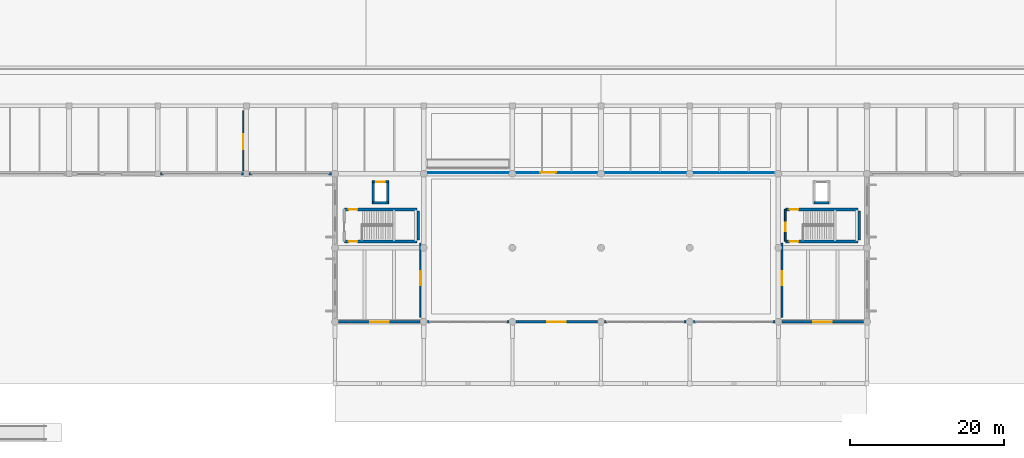
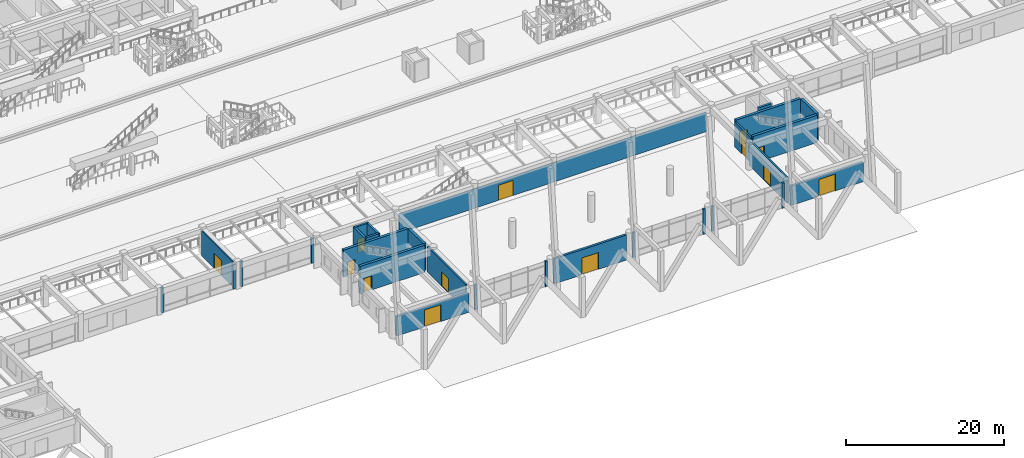
# One storey, part 78 of 109: 29 walls, 13 doors, 13 openings.
"""IFC4 building model written with IfcOpenShell, lengths in metres."""

from ifc_helpers import new_model, si_unit, direction, frame, frame_2d, origin, place, context, subcontext, project, spatial, rectangle, extrude, material, layer, layer_set, type_object, element, fill, save


model = new_model("IFC4")

# Units and contexts
model_context = context("Model", 3, precision=1e-05, world=origin(), true_north=direction((0.0, 1.0)))
body_context = subcontext(model_context, "Body", "Model", "MODEL_VIEW")
ifc_project = project(units=[si_unit("LENGTHUNIT", "METRE"), si_unit("AREAUNIT", "SQUARE_METRE"), si_unit("VOLUMEUNIT", "CUBIC_METRE"), si_unit("PLANEANGLEUNIT", "RADIAN"), si_unit("MASSUNIT", "GRAM", prefix="KILO")], contexts=[model_context])

# Site, building, storey
site_placement = place(None, origin())
site = spatial("IfcSite", under=ifc_project, at=site_placement, CompositionType="ELEMENT")
building_placement = place(site_placement, origin())
building = spatial("IfcBuilding", under=site, at=building_placement, Name="Ologun Quay Terminus", CompositionType="ELEMENT")
storey_placement = place(building_placement, origin())
storey = spatial("IfcBuildingStorey", under=building, at=storey_placement, Name="L00", CompositionType="ELEMENT", Elevation=0.0)

# Wall, opening, door
ifc_material_1 = material(Name="Glass", Category="glass")
ifc_layer_1 = layer(ifc_material_1, 0.1201171875)
ifc_layer_set_1 = layer_set([ifc_layer_1], Name="Glass")
wall_type_1 = type_object("IfcWallType", Name="Acoustic Glazed Concourse Screen Wall 120", PredefinedType="MOVABLE", material=ifc_layer_set_1)
wall_1_placement = place(storey_placement, frame((69.60009765625, 27.35009765625, 0.0), z_axis=(0.0, 0.0, 1.0), x_axis=(1.0, 0.0, 0.0)))
wall_1 = element("IfcWall", 1, at=wall_1_placement, inside=storey, type_object=wall_type_1, Name="PW-10 Partition L00-Screening-Screen", PredefinedType="MOVABLE", context=body_context, shape_type="SweptSolid", body=[
    extrude(rectangle(XDim=44.7998046875, YDim=0.1201171875, at=frame_2d((22.39990234375, 0.0))), origin(), (0.0, 0.0, 1.0), 3.0),
])
opening_1_placement = place(wall_1_placement, frame((14.5, 0.0, 0.0)))
opening_1 = element("IfcOpeningElement", 2, at=opening_1_placement, cuts=wall_1, Name="Opening ID-294", PredefinedType="OPENING", context=body_context, shape_type="SweptSolid", body=[
    extrude(rectangle(XDim=2.10009765625, YDim=2.35009765625, at=frame_2d((1.050048828125, 1.175048828125))), frame((0.0, 0.070068359375, 0.0), z_axis=(0.0, -1.0, 0.0), x_axis=(1.0, 0.0, 0.0)), (0.0, 0.0, 1.0), 0.14013671875),
])
ifc_material_2 = material(Name="Glass", Category="glass")
door_type_1 = type_object("IfcDoorType", Name="Waiting Lounge Glazed Pair 2100x2350", OperationType="DOUBLE_DOOR_SINGLE_SWING", PredefinedType="DOOR", material=ifc_material_2)
door_1_placement = place(opening_1_placement, origin())
door_1 = element("IfcDoor", 3, at=door_1_placement, inside=storey, type_object=door_type_1, Name="ID-07 Door ID-294", OperationType="DOUBLE_DOOR_SINGLE_SWING", OverallHeight=2.35009765625, OverallWidth=2.10009765625, PredefinedType="DOOR", context=body_context, shape_type="SweptSolid", body=[
    extrude(rectangle(XDim=2.10009765625, YDim=2.35009765625, at=frame_2d((1.050048828125, 1.175048828125))), frame((0.0, 0.02490234375, 0.0), z_axis=(0.0, -1.0, 0.0), x_axis=(1.0, 0.0, 0.0)), (0.0, 0.0, 1.0), 0.050048828125),
])
fill(opening_1, door_1)

# Walls
ifc_material_3 = material(Name="Concrete C40/50", Category="concrete")
ifc_layer_2 = layer(ifc_material_3, 0.280029296875)
ifc_layer_set_2 = layer_set([ifc_layer_2], Name="Concrete C40/50")
wall_type_2 = type_object("IfcWallType", Name="Courtyard Wing Spandrel Concrete Wall 280", PredefinedType="SOLIDWALL", material=ifc_layer_set_2)
for number, where, z_axis, x_axis, name in (
    (4, (34.8701171875, 27.199951171875, 0.0), (0.0, 0.0, 1.0), (1.0, 0.0, 0.0), "Curtain Wall Jamb Pier CW-L00-002-J1"),
    (5, (45.280029296875, 27.199951171875, 0.0), (0.0, 0.0, 1.0), (1.0, 0.0, 0.0), "Curtain Wall Jamb Pier CW-L00-002-J2"),
    (6, (46.3701171875, 27.199951171875, 0.0), (0.0, 0.0, 1.0), (1.0, 0.0, 0.0), "Curtain Wall Jamb Pier CW-L00-003-J1"),
):
    element("IfcWall", number, at=place(storey_placement, frame(where, z_axis=z_axis, x_axis=x_axis)), inside=storey, type_object=wall_type_2, Name=name, PredefinedType="SOLIDWALL", context=body_context, shape_type="SweptSolid", body=[
        extrude(rectangle(XDim=0.349853515625, YDim=0.280029296875, at=frame_2d((0.1748046875, 0.0))), origin(), (0.0, 0.0, 1.0), 3.8798828125),
    ])
for number, where, z_axis, x_axis, name in (
    (7, (56.679931640625, 27.199951171875, 0.0), (0.0, 0.0, 1.0), (1.0, 0.0, 0.0), "Curtain Wall Jamb Pier CW-L00-003-J2"),
    (8, (69.469970703125, 8.0, 0.0), (0.0, 0.0, 1.0), (1.0, 0.0, 0.0), "Curtain Wall Jamb Pier CW-L00-004-J1"),
    (9, (79.679931640625, 8.0, 0.0), (0.0, 0.0, 1.0), (1.0, 0.0, 0.0), "Curtain Wall Jamb Pier CW-L00-004-J2"),
    (10, (92.469970703125, 8.0, 0.0), (0.0, 0.0, 1.0), (1.0, 0.0, 0.0), "Curtain Wall Jamb Pier CW-L00-005-J1"),
    (11, (102.679931640625, 8.0, 0.0), (0.0, 0.0, 1.0), (1.0, 0.0, 0.0), "Curtain Wall Jamb Pier CW-L00-005-J2"),
    (12, (103.969970703125, 8.0, 0.0), (0.0, 0.0, 1.0), (1.0, 0.0, 0.0), "Curtain Wall Jamb Pier CW-L00-006-J1"),
    (13, (114.179931640625, 8.0, 0.0), (0.0, 0.0, 1.0), (1.0, 0.0, 0.0), "Curtain Wall Jamb Pier CW-L00-006-J2"),
):
    element("IfcWall", number, at=place(storey_placement, frame(where, z_axis=z_axis, x_axis=x_axis)), inside=storey, type_object=wall_type_2, Name=name, PredefinedType="SOLIDWALL", context=body_context, shape_type="SweptSolid", body=[
        extrude(rectangle(XDim=0.35009765625, YDim=0.280029296875, at=frame_2d((0.175048828125, 0.0))), origin(), (0.0, 0.0, 1.0), 3.8798828125),
    ])

# Wall, opening, door
ifc_material_4 = material(Name="Concrete C40/50", Category="concrete")
ifc_layer_3 = layer(ifc_material_4, 0.239990234375)
ifc_layer_set_3 = layer_set([ifc_layer_3], Name="Concrete C40/50")
wall_type_3 = type_object("IfcWallType", Name="Fire Compartment Blockwork Wall 240", PredefinedType="SOLIDWALL", material=ifc_layer_set_3)
wall_2_placement = place(storey_placement, frame((115.89990234375, 18.419921875, 0.0), z_axis=(0.0, 0.0, 1.0), x_axis=(0.0, 1.0, 0.0)))
wall_2 = element("IfcWall", 14, at=wall_2_placement, inside=storey, type_object=wall_type_3, Name="PW-01 Partition ST-S4-W", PredefinedType="SOLIDWALL", context=body_context, shape_type="SweptSolid", body=[
    extrude(rectangle(XDim=4.16015625, YDim=0.239990234375, at=frame_2d((2.080078125, 0.0))), origin(), (0.0, 0.0, 1.0), 3.8798828125),
])
opening_2_placement = place(wall_2_placement, frame((1.300048828125, 0.0, 0.0)))
opening_2 = element("IfcOpeningElement", 15, at=opening_2_placement, cuts=wall_2, Name="Opening ID-265", PredefinedType="OPENING", context=body_context, shape_type="SweptSolid", body=[
    extrude(rectangle(XDim=1.1298828125, YDim=2.14990234375, at=frame_2d((0.56494140625, 1.074951171875))), frame((0.0, 0.1298828125, 0.0), z_axis=(0.0, -1.0, 0.0), x_axis=(1.0, 0.0, 0.0)), (0.0, 0.0, 1.0), 0.260009765625),
])
ifc_material_5 = material(Name="Steel S355", Category="steel")
door_type_2 = type_object("IfcDoorType", Name="Stairwell Fire Escape Door 1130x2150", OperationType="SINGLE_SWING_LEFT", PredefinedType="DOOR", material=ifc_material_5)
door_2_placement = place(opening_2_placement, origin())
door_2 = element("IfcDoor", 16, at=door_2_placement, inside=storey, type_object=door_type_2, Name="FD-01 Door ID-265", OperationType="SINGLE_SWING_LEFT", OverallHeight=2.14990234375, OverallWidth=1.1298828125, PredefinedType="DOOR", context=body_context, shape_type="SweptSolid", body=[
    extrude(rectangle(XDim=1.1298828125, YDim=2.14990234375, at=frame_2d((0.56494140625, 1.074951171875))), frame((0.0, 0.02490234375, 0.0), z_axis=(0.0, -1.0, 0.0), x_axis=(1.0, 0.0, 0.0)), (0.0, 0.0, 1.0), 0.050048828125),
])
fill(opening_2, door_2)

wall_3_placement = place(storey_placement, frame((68.550048828125, 8.550048828125, 0.0), z_axis=(0.0, 0.0, 1.0), x_axis=(0.0, 1.0, 0.0)))
wall_3 = element("IfcWall", 17, at=wall_3_placement, inside=storey, type_object=wall_type_3, Name="PW-01 Partition L00-EXPS3-E", PredefinedType="SOLIDWALL", context=body_context, shape_type="SweptSolid", body=[
    extrude(rectangle(XDim=9.699951171875, YDim=0.239990234375, at=frame_2d((4.85009765625, 0.0))), origin(), (0.0, 0.0, 1.0), 3.8798828125),
])
opening_3_placement = place(wall_3_placement, frame((4.199951171875, 0.0, 0.0)))
opening_3 = element("IfcOpeningElement", 18, at=opening_3_placement, cuts=wall_3, Name="Opening ID-303", PredefinedType="OPENING", context=body_context, shape_type="SweptSolid", body=[
    extrude(rectangle(XDim=1.800048828125, YDim=2.199951171875, at=frame_2d((0.89990234375, 1.10009765625))), frame((0.0, 0.1298828125, 0.0), z_axis=(0.0, -1.0, 0.0), x_axis=(1.0, 0.0, 0.0)), (0.0, 0.0, 1.0), 0.260009765625),
])
ifc_material_6 = material(Name="Steel S355", Category="steel")
door_type_3 = type_object("IfcDoorType", Name="Corridor Compartment Pair 1800x2200", OperationType="DOUBLE_DOOR_SINGLE_SWING", PredefinedType="DOOR", material=ifc_material_6)
door_3_placement = place(opening_3_placement, origin())
door_3 = element("IfcDoor", 19, at=door_3_placement, inside=storey, type_object=door_type_3, Name="FD-03 Door ID-303", OperationType="DOUBLE_DOOR_SINGLE_SWING", OverallHeight=2.199951171875, OverallWidth=1.800048828125, PredefinedType="DOOR", context=body_context, shape_type="SweptSolid", body=[
    extrude(rectangle(XDim=1.800048828125, YDim=2.199951171875, at=frame_2d((0.89990234375, 1.10009765625))), frame((0.0, 0.02490234375, 0.0), z_axis=(0.0, -1.0, 0.0), x_axis=(1.0, 0.0, 0.0)), (0.0, 0.0, 1.0), 0.050048828125),
])
fill(opening_3, door_3)

wall_4_placement = place(storey_placement, frame((115.449951171875, 8.550048828125, 0.0), z_axis=(0.0, 0.0, 1.0), x_axis=(0.0, 1.0, 0.0)))
wall_4 = element("IfcWall", 20, at=wall_4_placement, inside=storey, type_object=wall_type_3, Name="PW-01 Partition L00-EXPS4-W", PredefinedType="SOLIDWALL", context=body_context, shape_type="SweptSolid", body=[
    extrude(rectangle(XDim=9.699951171875, YDim=0.239990234375, at=frame_2d((4.85009765625, 0.0))), origin(), (0.0, 0.0, 1.0), 3.8798828125),
])
opening_4_placement = place(wall_4_placement, frame((4.199951171875, 0.0, 0.0)))
opening_4 = element("IfcOpeningElement", 21, at=opening_4_placement, cuts=wall_4, Name="Opening ID-304", PredefinedType="OPENING", context=body_context, shape_type="SweptSolid", body=[
    extrude(rectangle(XDim=1.800048828125, YDim=2.199951171875, at=frame_2d((0.89990234375, 1.10009765625))), frame((0.0, 0.1298828125, 0.0), z_axis=(0.0, -1.0, 0.0), x_axis=(1.0, 0.0, 0.0)), (0.0, 0.0, 1.0), 0.260009765625),
])
door_4_placement = place(opening_4_placement, origin())
door_4 = element("IfcDoor", 22, at=door_4_placement, inside=storey, type_object=door_type_3, Name="FD-03 Door ID-304", OperationType="DOUBLE_DOOR_SINGLE_SWING", OverallHeight=2.199951171875, OverallWidth=1.800048828125, PredefinedType="DOOR", context=body_context, shape_type="SweptSolid", body=[
    extrude(rectangle(XDim=1.800048828125, YDim=2.199951171875, at=frame_2d((0.89990234375, 1.10009765625))), frame((0.0, 0.02490234375, 0.0), z_axis=(0.0, -1.0, 0.0), x_axis=(1.0, 0.0, 0.0)), (0.0, 0.0, 1.0), 0.050048828125),
])
fill(opening_4, door_4)

# Wall
ifc_material_7 = material(Name="Concrete C40/50", Category="concrete")
ifc_layer_4 = layer(ifc_material_7, 0.300048828125)
ifc_layer_set_4 = layer_set([ifc_layer_4], Name="Concrete C40/50")
wall_type_4 = type_object("IfcWallType", Name="Lift Shaft Structural Shear Wall 300", PredefinedType="SHEAR", material=ifc_layer_set_4)
wall_5_placement = place(storey_placement, frame((62.449951171875, 23.449951171875, 0.0), z_axis=(0.0, 0.0, 1.0), x_axis=(1.0, 0.0, 0.0)))
element("IfcWall", 23, at=wall_5_placement, inside=storey, type_object=wall_type_4, Name="Lift PL-S1 Shaft Wall S L00", PredefinedType="SHEAR", context=body_context, shape_type="SweptSolid", body=[
    extrude(rectangle(XDim=1.900146484375, YDim=0.300048828125, at=frame_2d((0.9501953125, 0.0))), origin(), (0.0, 0.0, 1.0), 4.199951171875),
])

# Wall, opening, door
wall_6_placement = place(storey_placement, frame((62.449951171875, 26.14990234375, 0.0), z_axis=(0.0, 0.0, 1.0), x_axis=(1.0, 0.0, 0.0)))
wall_6 = element("IfcWall", 24, at=wall_6_placement, inside=storey, type_object=wall_type_4, Name="Lift PL-S1 Shaft Wall N L00", PredefinedType="SHEAR", context=body_context, shape_type="SweptSolid", body=[
    extrude(rectangle(XDim=1.900146484375, YDim=0.300048828125, at=frame_2d((0.9501953125, 0.0))), origin(), (0.0, 0.0, 1.0), 4.199951171875),
])
opening_5_placement = place(wall_6_placement, frame((0.39990234375, 0.0, 0.0)))
opening_5 = element("IfcOpeningElement", 25, at=opening_5_placement, cuts=wall_6, Name="Opening ID-048", PredefinedType="OPENING", context=body_context, shape_type="SweptSolid", body=[
    extrude(rectangle(XDim=1.10009765625, YDim=2.14990234375, at=frame_2d((0.550048828125, 1.074951171875))), frame((0.0, 0.16015625, 0.0), z_axis=(0.0, -1.0, 0.0), x_axis=(1.0, 0.0, 0.0)), (0.0, 0.0, 1.0), 0.320068359375),
])
ifc_material_8 = material(Name="Steel S355", Category="steel")
door_type_4 = type_object("IfcDoorType", Name="Lift Landing Sliding Door 1100x2150", OperationType="SLIDING_TO_LEFT", PredefinedType="DOOR", material=ifc_material_8)
door_5_placement = place(opening_5_placement, origin())
door_5 = element("IfcDoor", 26, at=door_5_placement, inside=storey, type_object=door_type_4, Name="LD-01 Door ID-048", OperationType="SLIDING_TO_LEFT", OverallHeight=2.14990234375, OverallWidth=1.10009765625, PredefinedType="DOOR", context=body_context, shape_type="SweptSolid", body=[
    extrude(rectangle(XDim=1.10009765625, YDim=2.14990234375, at=frame_2d((0.550048828125, 1.074951171875))), frame((0.0, 0.02490234375, 0.0), z_axis=(0.0, -1.0, 0.0), x_axis=(1.0, 0.0, 0.0)), (0.0, 0.0, 1.0), 0.050048828125),
])
fill(opening_5, door_5)

# Walls
for number, where, z_axis, x_axis, name in (
    (27, (62.449951171875, 23.300048828125, 0.0), (0.0, 0.0, 1.0), (0.0, 1.0, 0.0), "Lift PL-S1 Shaft Wall W L00"),
    (28, (64.35009765625, 23.300048828125, 0.0), (0.0, 0.0, 1.0), (0.0, 1.0, 0.0), "Lift PL-S1 Shaft Wall E L00"),
):
    element("IfcWall", number, at=place(storey_placement, frame(where, z_axis=z_axis, x_axis=x_axis)), inside=storey, type_object=wall_type_4, Name=name, PredefinedType="SHEAR", context=body_context, shape_type="SweptSolid", body=[
        extrude(rectangle(XDim=3.0, YDim=0.300048828125, at=frame_2d((1.5, 0.0))), origin(), (0.0, 0.0, 1.0), 4.199951171875),
    ])
wall_7_placement = place(storey_placement, frame((119.64990234375, 23.449951171875, 0.0), z_axis=(0.0, 0.0, 1.0), x_axis=(1.0, 0.0, 0.0)))
element("IfcWall", 29, at=wall_7_placement, inside=storey, type_object=wall_type_4, Name="Lift PL-S2 Shaft Wall S L00", PredefinedType="SHEAR", context=body_context, shape_type="SweptSolid", body=[
    extrude(rectangle(XDim=1.900146484375, YDim=0.300048828125, at=frame_2d((0.9501953125, 0.0))), origin(), (0.0, 0.0, 1.0), 4.199951171875),
])

# Wall, opening, door
ifc_material_9 = material(Name="Concrete C40/50", Category="concrete")
ifc_layer_5 = layer(ifc_material_9, 0.3798828125)
ifc_layer_set_5 = layer_set([ifc_layer_5], Name="Concrete C40/50")
wall_type_5 = type_object("IfcWallType", Name="Platform Spine Shear Wall 380", PredefinedType="SHEAR", material=ifc_layer_set_5)
wall_8_placement = place(storey_placement, frame((58.699951171875, 18.409912109375, 0.0), z_axis=(0.0, 0.0, 1.0), x_axis=(1.0, 0.0, 0.0)))
wall_8 = element("IfcWall", 30, at=wall_8_placement, inside=storey, type_object=wall_type_5, Name="Station Core 3 S Shear Wall L00", PredefinedType="SHEAR", context=body_context, shape_type="SweptSolid", body=[
    extrude(rectangle(XDim=9.400146484375, YDim=0.3798828125, at=frame_2d((4.7001953125, 0.0))), origin(), (0.0, 0.0, 1.0), 4.199951171875),
])
opening_6_placement = place(wall_8_placement, frame((0.550048828125, 0.0, 0.0)))
opening_6 = element("IfcOpeningElement", 31, at=opening_6_placement, cuts=wall_8, Name="Opening ID-254", PredefinedType="OPENING", context=body_context, shape_type="SweptSolid", body=[
    extrude(rectangle(XDim=1.1298828125, YDim=2.14990234375, at=frame_2d((0.56494140625, 1.074951171875))), frame((0.0, 0.199951171875, 0.0), z_axis=(0.0, -1.0, 0.0), x_axis=(1.0, 0.0, 0.0)), (0.0, 0.0, 1.0), 0.39990234375),
])
door_6_placement = place(opening_6_placement, frame((0.56494140625, 0.0, 0.0), z_axis=(0.0, 0.0, 1.0), x_axis=(-1.0, 0.0, 0.0)))
door_6 = element("IfcDoor", 32, at=door_6_placement, inside=storey, type_object=door_type_2, Name="FD-01 Door ID-254", OperationType="SINGLE_SWING_LEFT", OverallHeight=2.14990234375, OverallWidth=1.1298828125, PredefinedType="DOOR", context=body_context, shape_type="SweptSolid", body=[
    extrude(rectangle(XDim=1.1298828125, YDim=2.14990234375, at=frame_2d((0.0, 1.074951171875))), frame((0.0, 0.02490234375, 0.0), z_axis=(0.0, -1.0, 0.0), x_axis=(1.0, 0.0, 0.0)), (0.0, 0.0, 1.0), 0.050048828125),
])
fill(opening_6, door_6)

wall_9_placement = place(storey_placement, frame((58.699951171875, 22.590087890625, 0.0), z_axis=(0.0, 0.0, 1.0), x_axis=(1.0, 0.0, 0.0)))
wall_9 = element("IfcWall", 33, at=wall_9_placement, inside=storey, type_object=wall_type_5, Name="Station Core 3 N Shear Wall L00", PredefinedType="SHEAR", context=body_context, shape_type="SweptSolid", body=[
    extrude(rectangle(XDim=9.400146484375, YDim=0.3798828125, at=frame_2d((4.7001953125, 0.0))), origin(), (0.0, 0.0, 1.0), 4.199951171875),
])
opening_7_placement = place(wall_9_placement, frame((0.550048828125, 0.0, 0.0)))
opening_7 = element("IfcOpeningElement", 34, at=opening_7_placement, cuts=wall_9, Name="Opening ID-253", PredefinedType="OPENING", context=body_context, shape_type="SweptSolid", body=[
    extrude(rectangle(XDim=1.1298828125, YDim=2.14990234375, at=frame_2d((0.56494140625, 1.074951171875))), frame((0.0, 0.199951171875, 0.0), z_axis=(0.0, -1.0, 0.0), x_axis=(1.0, 0.0, 0.0)), (0.0, 0.0, 1.0), 0.39990234375),
])
door_7_placement = place(opening_7_placement, origin())
door_7 = element("IfcDoor", 35, at=door_7_placement, inside=storey, type_object=door_type_2, Name="FD-01 Door ID-253", OperationType="SINGLE_SWING_LEFT", OverallHeight=2.14990234375, OverallWidth=1.1298828125, PredefinedType="DOOR", context=body_context, shape_type="SweptSolid", body=[
    extrude(rectangle(XDim=1.1298828125, YDim=2.14990234375, at=frame_2d((0.56494140625, 1.074951171875))), frame((0.0, 0.02490234375, 0.0), z_axis=(0.0, -1.0, 0.0), x_axis=(1.0, 0.0, 0.0)), (0.0, 0.0, 1.0), 0.050048828125),
])
fill(opening_7, door_7)

# Wall
wall_10_placement = place(storey_placement, frame((68.2900390625, 18.60009765625, 0.0), z_axis=(0.0, 0.0, 1.0), x_axis=(0.0, 1.0, 0.0)))
element("IfcWall", 36, at=wall_10_placement, inside=storey, type_object=wall_type_5, Name="Station Core 3 E Shear Wall L00", PredefinedType="SHEAR", context=body_context, shape_type="SweptSolid", body=[
    extrude(rectangle(XDim=3.7998046875, YDim=0.3798828125, at=frame_2d((1.89990234375, 0.0))), origin(), (0.0, 0.0, 1.0), 4.199951171875),
])

# Wall, opening, door
wall_11_placement = place(storey_placement, frame((115.89990234375, 18.409912109375, 0.0), z_axis=(0.0, 0.0, 1.0), x_axis=(1.0, 0.0, 0.0)))
wall_11 = element("IfcWall", 37, at=wall_11_placement, inside=storey, type_object=wall_type_5, Name="Station Core 4 S Shear Wall L00", PredefinedType="SHEAR", context=body_context, shape_type="SweptSolid", body=[
    extrude(rectangle(XDim=9.400146484375, YDim=0.3798828125, at=frame_2d((4.7001953125, 0.0))), origin(), (0.0, 0.0, 1.0), 4.199951171875),
])
opening_8_placement = place(wall_11_placement, frame((0.550048828125, 0.0, 0.0)))
opening_8 = element("IfcOpeningElement", 38, at=opening_8_placement, cuts=wall_11, Name="Opening ID-267", PredefinedType="OPENING", context=body_context, shape_type="SweptSolid", body=[
    extrude(rectangle(XDim=1.1298828125, YDim=2.14990234375, at=frame_2d((0.56494140625, 1.074951171875))), frame((0.0, 0.199951171875, 0.0), z_axis=(0.0, -1.0, 0.0), x_axis=(1.0, 0.0, 0.0)), (0.0, 0.0, 1.0), 0.39990234375),
])
door_8_placement = place(opening_8_placement, frame((0.56494140625, 0.0, 0.0), z_axis=(0.0, 0.0, 1.0), x_axis=(-1.0, 0.0, 0.0)))
door_8 = element("IfcDoor", 39, at=door_8_placement, inside=storey, type_object=door_type_2, Name="FD-01 Door ID-267", OperationType="SINGLE_SWING_LEFT", OverallHeight=2.14990234375, OverallWidth=1.1298828125, PredefinedType="DOOR", context=body_context, shape_type="SweptSolid", body=[
    extrude(rectangle(XDim=1.1298828125, YDim=2.14990234375, at=frame_2d((0.0, 1.074951171875))), frame((0.0, 0.02490234375, 0.0), z_axis=(0.0, -1.0, 0.0), x_axis=(1.0, 0.0, 0.0)), (0.0, 0.0, 1.0), 0.050048828125),
])
fill(opening_8, door_8)

wall_12_placement = place(storey_placement, frame((115.89990234375, 22.590087890625, 0.0), z_axis=(0.0, 0.0, 1.0), x_axis=(1.0, 0.0, 0.0)))
wall_12 = element("IfcWall", 40, at=wall_12_placement, inside=storey, type_object=wall_type_5, Name="Station Core 4 N Shear Wall L00", PredefinedType="SHEAR", context=body_context, shape_type="SweptSolid", body=[
    extrude(rectangle(XDim=9.400146484375, YDim=0.3798828125, at=frame_2d((4.7001953125, 0.0))), origin(), (0.0, 0.0, 1.0), 4.199951171875),
])
opening_9_placement = place(wall_12_placement, frame((0.550048828125, 0.0, 0.0)))
opening_9 = element("IfcOpeningElement", 41, at=opening_9_placement, cuts=wall_12, Name="Opening ID-266", PredefinedType="OPENING", context=body_context, shape_type="SweptSolid", body=[
    extrude(rectangle(XDim=1.1298828125, YDim=2.14990234375, at=frame_2d((0.56494140625, 1.074951171875))), frame((0.0, 0.199951171875, 0.0), z_axis=(0.0, -1.0, 0.0), x_axis=(1.0, 0.0, 0.0)), (0.0, 0.0, 1.0), 0.39990234375),
])
door_9_placement = place(opening_9_placement, origin())
door_9 = element("IfcDoor", 42, at=door_9_placement, inside=storey, type_object=door_type_2, Name="FD-01 Door ID-266", OperationType="SINGLE_SWING_LEFT", OverallHeight=2.14990234375, OverallWidth=1.1298828125, PredefinedType="DOOR", context=body_context, shape_type="SweptSolid", body=[
    extrude(rectangle(XDim=1.1298828125, YDim=2.14990234375, at=frame_2d((0.56494140625, 1.074951171875))), frame((0.0, 0.02490234375, 0.0), z_axis=(0.0, -1.0, 0.0), x_axis=(1.0, 0.0, 0.0)), (0.0, 0.0, 1.0), 0.050048828125),
])
fill(opening_9, door_9)

# Wall
wall_13_placement = place(storey_placement, frame((125.489990234375, 18.60009765625, 0.0), z_axis=(0.0, 0.0, 1.0), x_axis=(0.0, 1.0, 0.0)))
element("IfcWall", 43, at=wall_13_placement, inside=storey, type_object=wall_type_5, Name="Station Core 4 E Shear Wall L00", PredefinedType="SHEAR", context=body_context, shape_type="SweptSolid", body=[
    extrude(rectangle(XDim=3.7998046875, YDim=0.3798828125, at=frame_2d((1.89990234375, 0.0))), origin(), (0.0, 0.0, 1.0), 4.199951171875),
])

# Wall, opening, door
ifc_material_10 = material(Name="Concrete C40/50", Category="concrete")
ifc_layer_6 = layer(ifc_material_10, 0.320068359375)
ifc_layer_set_6 = layer_set([ifc_layer_6], Name="Concrete C40/50")
wall_type_6 = type_object("IfcWallType", Name="Podium Sculpted Concrete Facade Wall 320", PredefinedType="SOLIDWALL", material=ifc_layer_set_6)
wall_14_placement = place(storey_placement, frame((57.969970703125, 8.0, 0.0), z_axis=(0.0, 0.0, 1.0), x_axis=(1.0, 0.0, 0.0)))
wall_14 = element("IfcWall", 44, at=wall_14_placement, inside=storey, type_object=wall_type_6, Name="EW-01 Facade Wall WEW-SPAV-L00-2-1", PredefinedType="SOLIDWALL", context=body_context, shape_type="SweptSolid", body=[
    extrude(rectangle(XDim=10.56005859375, YDim=0.320068359375, at=frame_2d((5.280029296875, 0.0))), origin(), (0.0, 0.0, 1.0), 3.0),
])
opening_10_placement = place(wall_14_placement, frame((4.080078125, 0.0, 0.0)))
opening_10 = element("IfcOpeningElement", 45, at=opening_10_placement, cuts=wall_14, Name="Opening ED-004", PredefinedType="OPENING", context=body_context, shape_type="SweptSolid", body=[
    extrude(rectangle(XDim=2.39990234375, YDim=2.60009765625, at=frame_2d((1.199951171875, 1.300048828125))), frame((0.0, 0.169921875, 0.0), z_axis=(0.0, -1.0, 0.0), x_axis=(1.0, 0.0, 0.0)), (0.0, 0.0, 1.0), 0.340087890625),
])
ifc_material_11 = material(Name="Glass", Category="glass")
door_type_5 = type_object("IfcDoorType", Name="Main Station Glazed Double Entrance 2400x2600", OperationType="DOUBLE_DOOR_SINGLE_SWING", PredefinedType="DOOR", material=ifc_material_11)
door_10_placement = place(opening_10_placement, frame((1.199951171875, 0.0, 0.0), z_axis=(0.0, 0.0, 1.0), x_axis=(-1.0, 0.0, 0.0)))
door_10 = element("IfcDoor", 46, at=door_10_placement, inside=storey, type_object=door_type_5, Name="D-01 Exterior Door ED-004", OperationType="DOUBLE_DOOR_SINGLE_SWING", OverallHeight=2.60009765625, OverallWidth=2.39990234375, PredefinedType="DOOR", context=body_context, shape_type="SweptSolid", body=[
    extrude(rectangle(XDim=2.39990234375, YDim=2.60009765625, at=frame_2d((0.0, 1.300048828125))), frame((0.0, 0.02490234375, 0.0), z_axis=(0.0, -1.0, 0.0), x_axis=(1.0, 0.0, 0.0)), (0.0, 0.0, 1.0), 0.050048828125),
])
fill(opening_10, door_10)

wall_15_placement = place(storey_placement, frame((80.969970703125, 8.0, 0.0), z_axis=(0.0, 0.0, 1.0), x_axis=(1.0, 0.0, 0.0)))
wall_15 = element("IfcWall", 47, at=wall_15_placement, inside=storey, type_object=wall_type_6, Name="EW-01 Facade Wall WEW-SPAV-L00-2-3", PredefinedType="SOLIDWALL", context=body_context, shape_type="SweptSolid", body=[
    extrude(rectangle(XDim=10.56005859375, YDim=0.320068359375, at=frame_2d((5.280029296875, 0.0))), origin(), (0.0, 0.0, 1.0), 3.8798828125),
])
opening_11_placement = place(wall_15_placement, frame((4.080078125, 0.0, 0.0)))
opening_11 = element("IfcOpeningElement", 48, at=opening_11_placement, cuts=wall_15, Name="Opening ED-005", PredefinedType="OPENING", context=body_context, shape_type="SweptSolid", body=[
    extrude(rectangle(XDim=2.39990234375, YDim=2.60009765625, at=frame_2d((1.199951171875, 1.300048828125))), frame((0.0, 0.169921875, 0.0), z_axis=(0.0, -1.0, 0.0), x_axis=(1.0, 0.0, 0.0)), (0.0, 0.0, 1.0), 0.340087890625),
])
door_11_placement = place(opening_11_placement, frame((1.199951171875, 0.0, 0.0), z_axis=(0.0, 0.0, 1.0), x_axis=(-1.0, 0.0, 0.0)))
door_11 = element("IfcDoor", 49, at=door_11_placement, inside=storey, type_object=door_type_5, Name="D-01 Exterior Door ED-005", OperationType="DOUBLE_DOOR_SINGLE_SWING", OverallHeight=2.60009765625, OverallWidth=2.39990234375, PredefinedType="DOOR", context=body_context, shape_type="SweptSolid", body=[
    extrude(rectangle(XDim=2.39990234375, YDim=2.60009765625, at=frame_2d((0.0, 1.300048828125))), frame((0.0, 0.02490234375, 0.0), z_axis=(0.0, -1.0, 0.0), x_axis=(1.0, 0.0, 0.0)), (0.0, 0.0, 1.0), 0.050048828125),
])
fill(opening_11, door_11)

wall_16_placement = place(storey_placement, frame((115.469970703125, 8.0, 0.0), z_axis=(0.0, 0.0, 1.0), x_axis=(1.0, 0.0, 0.0)))
wall_16 = element("IfcWall", 50, at=wall_16_placement, inside=storey, type_object=wall_type_6, Name="EW-01 Facade Wall WEW-SPAV-L00-2-6", PredefinedType="SOLIDWALL", context=body_context, shape_type="SweptSolid", body=[
    extrude(rectangle(XDim=10.56005859375, YDim=0.320068359375, at=frame_2d((5.280029296875, 0.0))), origin(), (0.0, 0.0, 1.0), 3.0),
])
opening_12_placement = place(wall_16_placement, frame((4.080078125, 0.0, 0.0)))
opening_12 = element("IfcOpeningElement", 51, at=opening_12_placement, cuts=wall_16, Name="Opening ED-006", PredefinedType="OPENING", context=body_context, shape_type="SweptSolid", body=[
    extrude(rectangle(XDim=2.39990234375, YDim=2.60009765625, at=frame_2d((1.199951171875, 1.300048828125))), frame((0.0, 0.169921875, 0.0), z_axis=(0.0, -1.0, 0.0), x_axis=(1.0, 0.0, 0.0)), (0.0, 0.0, 1.0), 0.340087890625),
])
door_12_placement = place(opening_12_placement, frame((1.199951171875, 0.0, 0.0), z_axis=(0.0, 0.0, 1.0), x_axis=(-1.0, 0.0, 0.0)))
door_12 = element("IfcDoor", 52, at=door_12_placement, inside=storey, type_object=door_type_5, Name="D-01 Exterior Door ED-006", OperationType="DOUBLE_DOOR_SINGLE_SWING", OverallHeight=2.60009765625, OverallWidth=2.39990234375, PredefinedType="DOOR", context=body_context, shape_type="SweptSolid", body=[
    extrude(rectangle(XDim=2.39990234375, YDim=2.60009765625, at=frame_2d((0.0, 1.300048828125))), frame((0.0, 0.02490234375, 0.0), z_axis=(0.0, -1.0, 0.0), x_axis=(1.0, 0.0, 0.0)), (0.0, 0.0, 1.0), 0.050048828125),
])
fill(opening_12, door_12)

ifc_material_12 = material(Name="Concrete C40/50", Category="concrete")
ifc_layer_7 = layer(ifc_material_12, 0.159912109375)
ifc_layer_set_7 = layer_set([ifc_layer_7], Name="Concrete C40/50")
wall_type_7 = type_object("IfcWallType", Name="Retail & Lounge Separation Wall 160", PredefinedType="PARTITIONING", material=ifc_layer_set_7)
wall_17_placement = place(storey_placement, frame((45.60009765625, 27.60009765625, 0.0), z_axis=(0.0, 0.0, 1.0), x_axis=(0.0, 1.0, 0.0)))
wall_17 = element("IfcWall", 53, at=wall_17_placement, inside=storey, type_object=wall_type_7, Name="PW-04 Partition L00-Bookshop-W", PredefinedType="PARTITIONING", context=body_context, shape_type="SweptSolid", body=[
    extrude(rectangle(XDim=7.7998046875, YDim=0.159912109375, at=frame_2d((3.89990234375, 0.0))), origin(), (0.0, 0.0, 1.0), 3.8798828125),
])
opening_13_placement = place(wall_17_placement, frame((2.800048828125, 0.0, 0.0)))
opening_13 = element("IfcOpeningElement", 54, at=opening_13_placement, cuts=wall_17, Name="Opening ID-295", PredefinedType="OPENING", context=body_context, shape_type="SweptSolid", body=[
    extrude(rectangle(XDim=1.89990234375, YDim=2.35009765625, at=frame_2d((0.949951171875, 1.175048828125))), frame((0.0, 0.08984375, 0.0), z_axis=(0.0, -1.0, 0.0), x_axis=(1.0, 0.0, 0.0)), (0.0, 0.0, 1.0), 0.179931640625),
])
ifc_material_13 = material(Name="Glass", Category="glass")
door_type_6 = type_object("IfcDoorType", Name="Retail Shopfront Glazed Pair 1900x2350", OperationType="DOUBLE_DOOR_SINGLE_SWING", PredefinedType="DOOR", material=ifc_material_13)
door_13_placement = place(opening_13_placement, origin())
door_13 = element("IfcDoor", 55, at=door_13_placement, inside=storey, type_object=door_type_6, Name="ID-06 Door ID-295", OperationType="DOUBLE_DOOR_SINGLE_SWING", OverallHeight=2.35009765625, OverallWidth=1.89990234375, PredefinedType="DOOR", context=body_context, shape_type="SweptSolid", body=[
    extrude(rectangle(XDim=1.89990234375, YDim=2.35009765625, at=frame_2d((0.949951171875, 1.175048828125))), frame((0.0, 0.02490234375, 0.0), z_axis=(0.0, -1.0, 0.0), x_axis=(1.0, 0.0, 0.0)), (0.0, 0.0, 1.0), 0.050048828125),
])
fill(opening_13, door_13)

save(model, "model.ifc")
